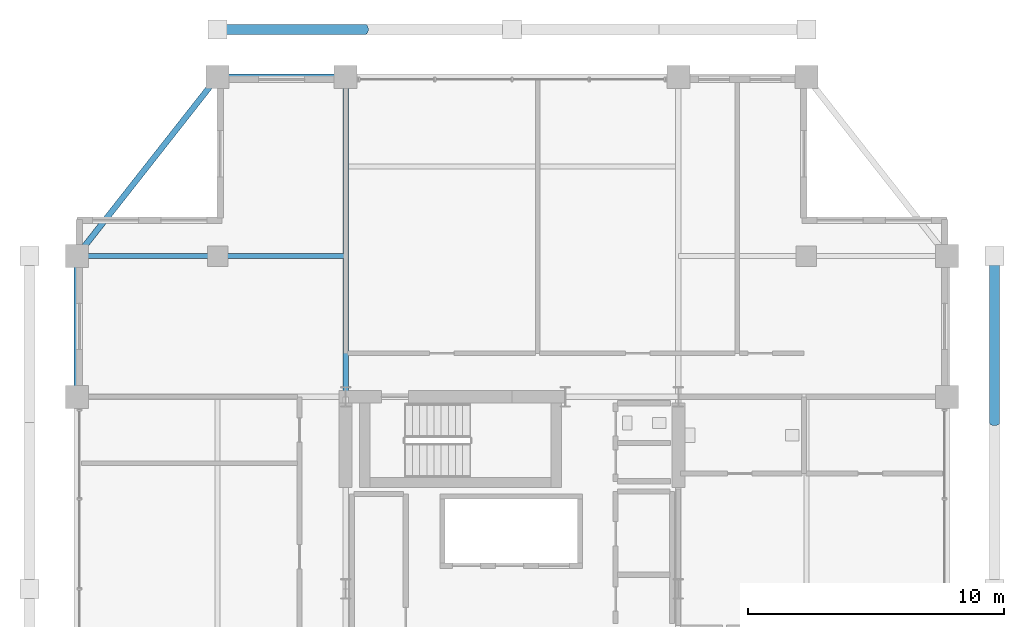
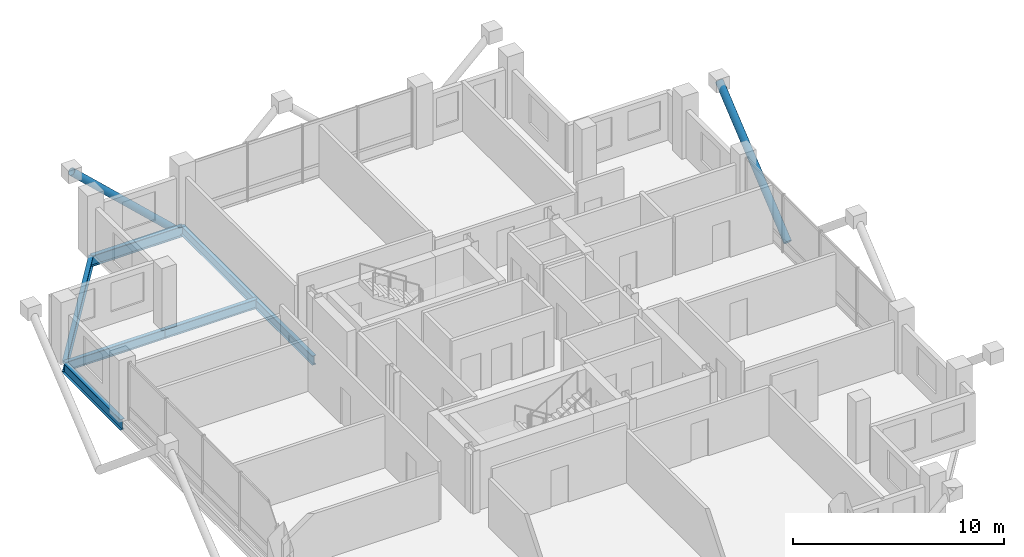
# One storey, part 13 of 22: 6 beams, 2 members.
"""IFC4 building model written with IfcOpenShell, lengths in metres."""

import ifcopenshell
import ifcopenshell.guid

model = None  # the IFC model being written
_history = None  # IfcOwnerHistory: only IFC2X3 demands one
_inside = {}  # id of a spatial element -> (the spatial element, [elements in it])
_under = {}  # id of a project, library or spatial element -> (it, [spatial elements below it])
_declared = {}  # id of a project -> (the project, [libraries it declares])
_typed = {}  # id of a type object -> (the type object, [elements of that type])
_made_of = {}  # id of a material, layer set ... -> (it, [elements and type objects made of it])


def new_model(schema):
    """Start an empty IFC model of exactly this schema.

    Asked for "IFC4X3", IfcOpenShell would pick the latest addendum, in which some entities
    have other attributes; the version numbers below select the first issue.
    IFC2X3 requires an IfcOwnerHistory on every rooted entity: one is made here for all.
    """
    global model, _history
    if schema == "IFC4X3":
        model = ifcopenshell.file(schema_version=(4, 3, 0, 0))
    else:
        model = ifcopenshell.file(schema=schema)
    _inside.clear()
    _under.clear()
    _declared.clear()
    _typed.clear()
    _made_of.clear()
    _history = None
    if model.schema == "IFC2X3":
        org = make("IfcOrganization", Name="unknown")
        user = make(
            "IfcPersonAndOrganization",
            ThePerson=make("IfcPerson", FamilyName="unknown"),
            TheOrganization=org,
        )
        app = make(
            "IfcApplication",
            ApplicationDeveloper=org,
            Version="unknown",
            ApplicationFullName="unknown",
            ApplicationIdentifier="unknown",
        )
        _history = make(
            "IfcOwnerHistory",
            OwningUser=user,
            OwningApplication=app,
            ChangeAction="ADDED",
            CreationDate=0,
        )
    return model


def make(cls, **values):
    """One entity of the class cls with the attributes given. An attribute that is None is left unset."""
    return model.create_entity(
        cls, **{name: value for name, value in values.items() if value is not None}
    )


def rooted(cls, **values):
    """An entity with a GlobalId (a new one), such as an element, a storey or a relation."""
    return make(cls, GlobalId=ifcopenshell.guid.new(), OwnerHistory=_history, **values)


def si_unit(unit_type, name, prefix=None):
    """IfcSIUnit, for example si_unit("LENGTHUNIT", "METRE", prefix="MILLI")."""
    return make("IfcSIUnit", UnitType=unit_type, Prefix=prefix, Name=name)


def assignment(units):
    """IfcUnitAssignment: the units of a project."""
    return None if units is None else make("IfcUnitAssignment", Units=units)


def point(xyz):
    """IfcCartesianPoint."""
    return None if xyz is None else make("IfcCartesianPoint", Coordinates=xyz)


def direction(xyz):
    """IfcDirection."""
    return None if xyz is None else make("IfcDirection", DirectionRatios=xyz)


def frame(location, z_axis=None, x_axis=None):
    """IfcAxis2Placement3D, a coordinate frame: its origin and axes. An axis left out is left unset."""
    return make(
        "IfcAxis2Placement3D",
        Location=point(location),
        Axis=direction(z_axis),
        RefDirection=direction(x_axis),
    )


def frame_2d(location, x_axis=None):
    """IfcAxis2Placement2D, a coordinate frame in the plane: its origin and x axis."""
    return make(
        "IfcAxis2Placement2D", Location=point(location), RefDirection=direction(x_axis)
    )


def origin():
    """The frame at (0, 0, 0) with its axes left unset."""
    return frame((0.0, 0.0, 0.0))


def origin_2d():
    """The frame at (0, 0) in the plane with its x axis left unset."""
    return frame_2d((0.0, 0.0))


def place(relative_to, where):
    """IfcLocalPlacement: puts the frame where relative to a parent placement (None: the world)."""
    return make(
        "IfcLocalPlacement", PlacementRelTo=relative_to, RelativePlacement=where
    )


def context(
    kind, dimensions, precision=None, world=None, true_north=None, identifier=None
):
    """IfcGeometricRepresentationContext, for example the 3D "Model" context."""
    return make(
        "IfcGeometricRepresentationContext",
        ContextIdentifier=identifier,
        ContextType=kind,
        CoordinateSpaceDimension=dimensions,
        Precision=precision,
        WorldCoordinateSystem=world,
        TrueNorth=true_north,
    )


def subcontext(parent, identifier, kind, view, scale=None):
    """IfcGeometricRepresentationSubContext, for example "Body" below "Model"."""
    return make(
        "IfcGeometricRepresentationSubContext",
        ContextIdentifier=identifier,
        ContextType=kind,
        ParentContext=parent,
        TargetScale=scale,
        TargetView=view,
    )


def project(units=None, contexts=None):
    """IfcProject with its units and contexts."""
    return rooted(
        "IfcProject",
        Name="project",
        RepresentationContexts=contexts,
        UnitsInContext=assignment(units),
    )


def spatial(cls, under=None, at=None, **own):
    """A site, building, storey or space (cls), placed at a placement, below another one or the project."""
    s = rooted(cls, ObjectPlacement=at, **own)
    if under is not None:
        _under.setdefault(under.id(), (under, []))[1].append(s)
    return s


def profile(cls, at=None, kind="AREA", **sizes):
    """A parametric profile (cls). Its sizes go by their IFC names, for example OverallWidth=200.0."""
    return make(cls, ProfileType=kind, Position=at, **sizes)


def hollow_circle(**sizes):
    """IfcCircleHollowProfileDef."""
    return profile("IfcCircleHollowProfileDef", **sizes)


def i_section(**sizes):
    """IfcIShapeProfileDef."""
    return profile("IfcIShapeProfileDef", **sizes)


def extrude(swept, where, along, depth):
    """IfcExtrudedAreaSolid: the profile swept, set in the frame where, extruded along a direction by depth."""
    return make(
        "IfcExtrudedAreaSolid",
        SweptArea=swept,
        Position=where,
        ExtrudedDirection=direction(along),
        Depth=depth,
    )


def shape(context_of_items, identifier, shape_type, items):
    """IfcShapeRepresentation: the items that make up one representation, for example the "Body"."""
    return make(
        "IfcShapeRepresentation",
        ContextOfItems=context_of_items,
        RepresentationIdentifier=identifier,
        RepresentationType=shape_type,
        Items=items,
    )


def material(Name=None, Category=None):
    """IfcMaterial."""
    return make("IfcMaterial", Name=Name, Category=Category)


def material_profile(
    of_material, cross_section, Name=None, Category=None, Priority=None
):
    """IfcMaterialProfile: a cross section and its material."""
    return make(
        "IfcMaterialProfile",
        Name=Name,
        Material=of_material,
        Profile=cross_section,
        Priority=Priority,
        Category=Category,
    )


def profile_set(profiles, Name=None, composite=None):
    """IfcMaterialProfileSet."""
    return make(
        "IfcMaterialProfileSet",
        Name=Name,
        MaterialProfiles=profiles,
        CompositeProfile=composite,
    )


def made_of(thing, what):
    """Note that an element or type object is made of a material, layer set ...; save() writes the relation."""
    if what is not None:
        _made_of.setdefault(what.id(), (what, []))[1].append(thing)
    return thing


def type_object(cls, material=None, **own):
    """A type object (cls), such as IfcWallType, which elements share."""
    return made_of(rooted(cls, **own), material)


def element(
    cls,
    number,
    at=None,
    inside=None,
    cuts=None,
    type_object=None,
    material=None,
    context=None,
    identifier="Body",
    shape_type=None,
    held_by="IfcProductDefinitionShape",
    body=None,
    shapes=None,
    **own,
):
    """One element of the class cls, such as IfcWall. Its Tag is "e" and its number.

    at: its placement. inside: the storey or other place that contains it. cuts: it is an
    opening in that element (IfcRelVoidsElement). A single representation is given by context,
    identifier, shape_type and body (its items); several are given by shapes. held_by: the class
    of the entity that holds the representations. save() writes the other relations.
    """
    e = rooted(cls, Tag="e%d" % number, ObjectPlacement=at, **own)
    if body is not None:
        shapes = [shape(context, identifier, shape_type, body)]
    if shapes is not None:
        e.Representation = make(held_by, Representations=shapes)
    if inside is not None:
        _inside.setdefault(inside.id(), (inside, []))[1].append(e)
    if cuts is not None:
        rooted(
            "IfcRelVoidsElement", RelatingBuildingElement=cuts, RelatedOpeningElement=e
        )
    if type_object is not None:
        _typed.setdefault(type_object.id(), (type_object, []))[1].append(e)
    return made_of(e, material)


def aggregate(whole, parts):
    """IfcRelAggregates: a whole, such as a stair, and the parts it consists of."""
    return rooted("IfcRelAggregates", RelatingObject=whole, RelatedObjects=parts)


def save(model, path):
    """Write the relations noted so far, then the file.

    IfcRelAggregates (storeys below a building ...), IfcRelContainedInSpatialStructure (elements
    in a storey), IfcRelDefinesByType, IfcRelAssociatesMaterial and IfcRelDeclares: one each for
    every whole, place, type object, material and project.
    """
    for whole, parts in _under.values():
        aggregate(whole, parts)
    for where, things in _inside.values():
        rooted(
            "IfcRelContainedInSpatialStructure",
            RelatedElements=things,
            RelatingStructure=where,
        )
    for kind, things in _typed.values():
        rooted("IfcRelDefinesByType", RelatedObjects=things, RelatingType=kind)
    for what, things in _made_of.values():
        rooted("IfcRelAssociatesMaterial", RelatedObjects=things, RelatingMaterial=what)
    for by, libraries in _declared.values():
        rooted("IfcRelDeclares", RelatingContext=by, RelatedDefinitions=libraries)
    model.write(path)


model = new_model("IFC4")

# Units and contexts
model_context = context("Model", 3, precision=1e-05, world=origin(), true_north=direction((0.0, 1.0)))
body_context = subcontext(model_context, "Body", "Model", "MODEL_VIEW")
ifc_project = project(units=[si_unit("LENGTHUNIT", "METRE"), si_unit("AREAUNIT", "SQUARE_METRE"), si_unit("VOLUMEUNIT", "CUBIC_METRE"), si_unit("PLANEANGLEUNIT", "RADIAN"), si_unit("MASSUNIT", "GRAM", prefix="KILO")], contexts=[model_context])

# Site, building, storey
site_placement = place(None, origin())
site = spatial("IfcSite", under=ifc_project, at=site_placement, CompositionType="ELEMENT")
building_placement = place(site_placement, origin())
building = spatial("IfcBuilding", under=site, at=building_placement, Name="Barlavira Tower and Art Museum", CompositionType="ELEMENT")
storey_placement = place(building_placement, frame((0.0, 0.0, 269.10009765625)))
storey = spatial("IfcBuildingStorey", under=building, at=storey_placement, Name="L70", CompositionType="ELEMENT", Elevation=269.10009765625)

# Members
ifc_material = material(Name="Steel S355", Category="steel")
ifc_material_profile_1 = material_profile(ifc_material, hollow_circle(Radius=0.203125, WallThickness=0.01611328125, at=origin_2d()), Name="CHS 406.4x16.0")
ifc_profile_set_1 = profile_set([ifc_material_profile_1], Name="Steel S355")
member_type = type_object("IfcMemberType", Name="Pale-Metal Exoskeleton Diagrid Tube CHS 406x16 Steel S355", PredefinedType="BRACE", material=ifc_profile_set_1)
member_1_placement = place(storey_placement, frame((-5.75, 21.85009765625, -1.920166015625), z_axis=(-0.728934650808, 0.0, 0.684583285548), x_axis=(0.0, -1.0, 0.0)))
element("IfcMember", 1, at=member_1_placement, inside=storey, type_object=member_type, Name="L70 Exoskeleton Diagrid Tube N", PredefinedType="BRACE", context=body_context, shape_type="SweptSolid", body=[
    extrude(hollow_circle(Radius=0.203125, WallThickness=0.01611328125, at=origin_2d()), origin(), (0.0, 0.0, 1.0), 7.88818359375),
])
member_2_placement = place(storey_placement, frame((18.85009765625, 6.5, -1.920166015625), z_axis=(0.0, 0.76918185268, 0.639029950399), x_axis=(-1.0, 0.0, 0.0)))
element("IfcMember", 2, at=member_2_placement, inside=storey, type_object=member_type, Name="L70 Exoskeleton Diagrid Tube E", PredefinedType="BRACE", context=body_context, shape_type="SweptSolid", body=[
    extrude(hollow_circle(Radius=0.203125, WallThickness=0.01611328125, at=origin_2d()), origin(), (0.0, 0.0, 1.0), 8.450439453125),
])

# Beams
ifc_material_profile_2 = material_profile(ifc_material, i_section(OverallWidth=0.22998046875, OverallDepth=0.616943359375, WebThickness=0.01318359375, FlangeThickness=0.022216796875, at=origin_2d()), Name="W610x140.0")
ifc_profile_set_2 = profile_set([ifc_material_profile_2], Name="Steel S355")
beam_type_1 = type_object("IfcBeamType", Name="Upper Shaft Spandrel Edge Beam W610x140 Steel S355", PredefinedType="SPANDREL", material=ifc_profile_set_2)
beam_1_placement = place(storey_placement, frame((-11.5, 20.0, -0.528564453125), z_axis=(1.0, 0.0, 0.0), x_axis=(0.0, 1.0, 0.0)))
element("IfcBeam", 3, at=beam_1_placement, inside=storey, type_object=beam_type_1, Name="L70 Spandrel 11", PredefinedType="SPANDREL", context=body_context, shape_type="SweptSolid", body=[
    extrude(i_section(OverallWidth=0.22998046875, OverallDepth=0.616943359375, WebThickness=0.01318359375, FlangeThickness=0.022216796875, at=origin_2d()), origin(), (0.0, 0.0, 1.0), 5.0),
])
beam_2_placement = place(storey_placement, frame((-11.5, 20.0, -0.528564453125), z_axis=(-0.617821551932, -0.786318338822, 0.0), x_axis=(0.786318338822, -0.617821551932, 0.0)))
element("IfcBeam", 4, at=beam_2_placement, inside=storey, type_object=beam_type_1, Name="L70 Spandrel 12", PredefinedType="SPANDREL", context=body_context, shape_type="SweptSolid", body=[
    extrude(i_section(OverallWidth=0.22998046875, OverallDepth=0.616943359375, WebThickness=0.01318359375, FlangeThickness=0.022216796875, at=origin_2d()), origin(), (0.0, 0.0, 1.0), 8.90234375),
])
beam_3_placement = place(storey_placement, frame((-17.0, 7.5, -0.528564453125), z_axis=(0.0, 1.0, 0.0), x_axis=(-1.0, 0.0, 0.0)))
element("IfcBeam", 5, at=beam_3_placement, inside=storey, type_object=beam_type_1, Name="L70 Spandrel 13", PredefinedType="SPANDREL", context=body_context, shape_type="SweptSolid", body=[
    extrude(i_section(OverallWidth=0.22998046875, OverallDepth=0.616943359375, WebThickness=0.01318359375, FlangeThickness=0.022216796875, at=origin_2d()), origin(), (0.0, 0.0, 1.0), 5.5),
])
ifc_material_profile_3 = material_profile(ifc_material, i_section(OverallWidth=0.2109375, OverallDepth=0.5390625, WebThickness=0.01171875, FlangeThickness=0.018798828125, at=origin_2d()), Name="W530x109.0")
ifc_profile_set_3 = profile_set([ifc_material_profile_3], Name="Steel S355")
beam_type_2 = type_object("IfcBeamType", Name="Zone 3-4 Primary Floor Girder W530x109 Steel S355", PredefinedType="BEAM", material=ifc_profile_set_3)
beam_4_placement = place(storey_placement, frame((-6.5, 7.5, -0.489501953125), z_axis=(0.0, 1.0, 0.0), x_axis=(-1.0, 0.0, 0.0)))
element("IfcBeam", 6, at=beam_4_placement, inside=storey, type_object=beam_type_2, Name="L70 Girder R-N1", PredefinedType="BEAM", context=body_context, shape_type="SweptSolid", body=[
    extrude(i_section(OverallWidth=0.2109375, OverallDepth=0.5390625, WebThickness=0.01171875, FlangeThickness=0.018798828125, at=origin_2d()), origin(), (0.0, 0.0, 1.0), 12.5),
])
beam_5_placement = place(storey_placement, frame((-17.0, 13.0, -0.489501953125), z_axis=(1.0, 0.0, 0.0), x_axis=(0.0, 1.0, 0.0)))
element("IfcBeam", 7, at=beam_5_placement, inside=storey, type_object=beam_type_2, Name="L70 Girder I-N1", PredefinedType="BEAM", context=body_context, shape_type="SweptSolid", body=[
    extrude(i_section(OverallWidth=0.2109375, OverallDepth=0.5390625, WebThickness=0.01171875, FlangeThickness=0.018798828125, at=origin_2d()), origin(), (0.0, 0.0, 1.0), 5.5),
])
beam_6_placement = place(storey_placement, frame((-11.5, 13.0, -0.489501953125), z_axis=(1.0, 0.0, 0.0), x_axis=(0.0, 1.0, 0.0)))
element("IfcBeam", 8, at=beam_6_placement, inside=storey, type_object=beam_type_2, Name="L70 Girder I-N2", PredefinedType="BEAM", context=body_context, shape_type="SweptSolid", body=[
    extrude(i_section(OverallWidth=0.2109375, OverallDepth=0.5390625, WebThickness=0.01171875, FlangeThickness=0.018798828125, at=origin_2d()), origin(), (0.0, 0.0, 1.0), 5.0),
])

save(model, "model.ifc")
